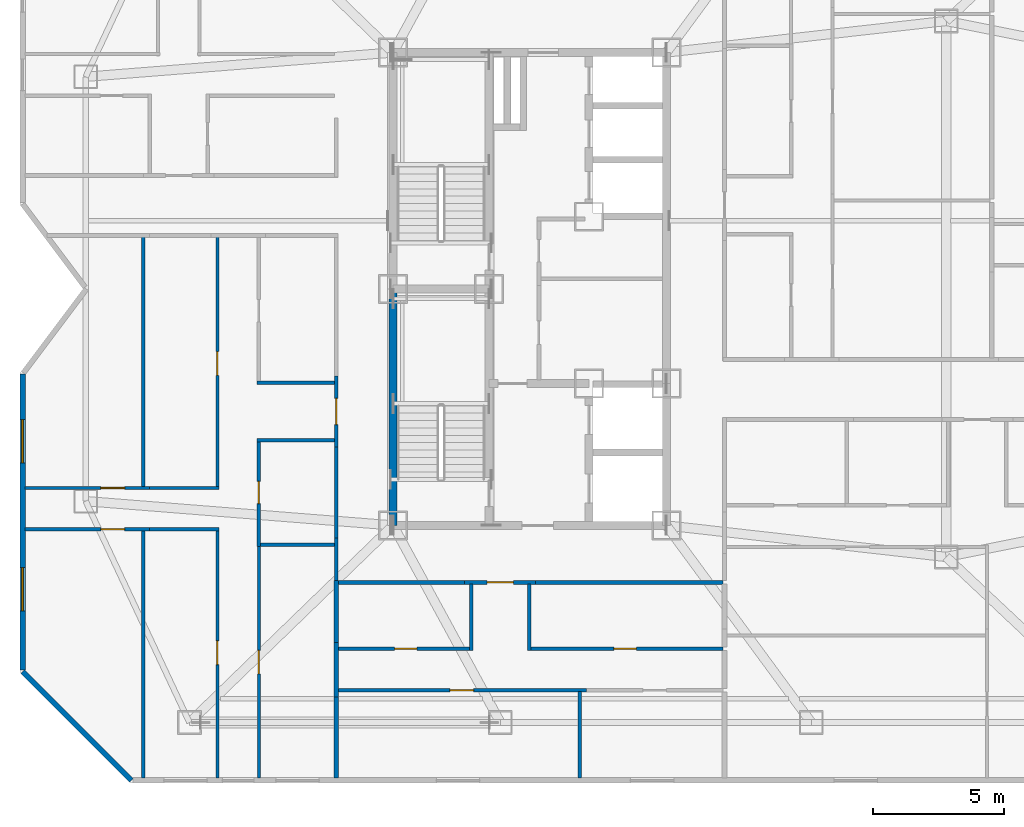
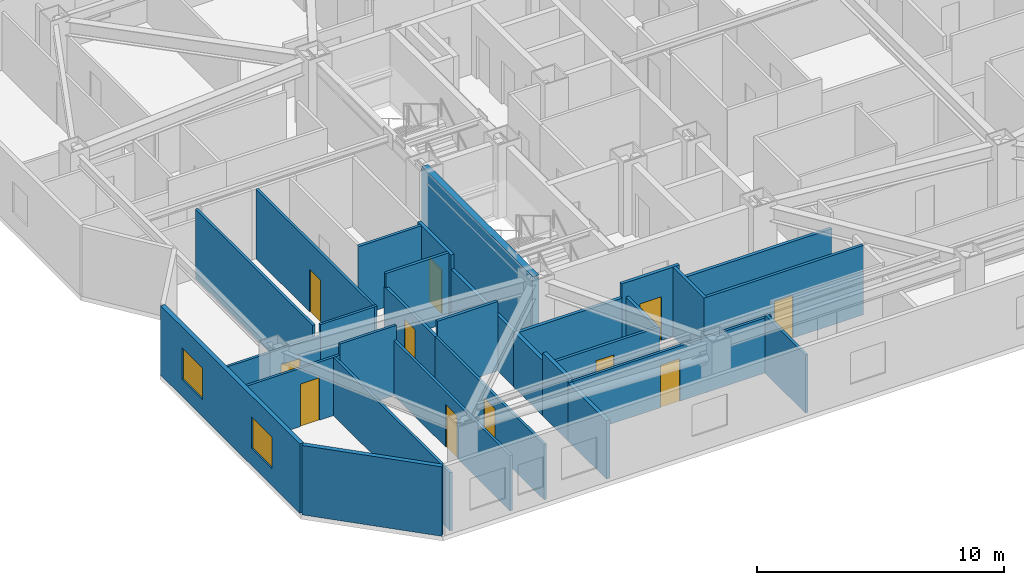
# One storey, part 5 of 11: 31 walls, 11 doors, 2 windows, 13 openings.
"""IFC4 building model written with IfcOpenShell, lengths in metres."""

from ifc_helpers import new_model, si_unit, direction, frame, frame_2d, origin, place, context, subcontext, project, spatial, rectangle, extrude, material, layer, layer_set, type_object, element, fill, save


model = new_model("IFC4")

# Units and contexts
model_context = context("Model", 3, precision=1e-05, world=origin(), true_north=direction((0.0, 1.0)))
body_context = subcontext(model_context, "Body", "Model", "MODEL_VIEW")
ifc_project = project(units=[si_unit("LENGTHUNIT", "METRE"), si_unit("AREAUNIT", "SQUARE_METRE"), si_unit("VOLUMEUNIT", "CUBIC_METRE"), si_unit("PLANEANGLEUNIT", "RADIAN"), si_unit("MASSUNIT", "GRAM", prefix="KILO")], contexts=[model_context])

# Site, building, storey
site_placement = place(None, origin())
site = spatial("IfcSite", under=ifc_project, at=site_placement, CompositionType="ELEMENT")
building_placement = place(site_placement, origin())
building = spatial("IfcBuilding", under=site, at=building_placement, Name="Khamvora Tower", CompositionType="ELEMENT")
storey_placement = place(building_placement, frame((0.0, 0.0, 185.10009765625)))
storey = spatial("IfcBuildingStorey", under=building, at=storey_placement, Name="L47", CompositionType="ELEMENT", Elevation=185.10009765625)

# Walls
ifc_material_1 = material(Name="Concrete C50/60", Category="concrete")
ifc_layer_1 = layer(ifc_material_1, 0.300048828125)
ifc_layer_set_1 = layer_set([ifc_layer_1], Name="Concrete C50/60")
wall_type_1 = type_object("IfcWallType", Name="WAL-CORE-300", PredefinedType="SHEAR", material=ifc_layer_set_1)
wall_1_placement = place(storey_placement, frame((29.0, 19.0, 0.0), z_axis=(0.0, 0.0, 1.0), x_axis=(0.0, 1.0, 0.0)))
element("IfcWall", 1, at=wall_1_placement, inside=storey, type_object=wall_type_1, Name="L47 central core west south wall", PredefinedType="SHEAR", context=body_context, shape_type="SweptSolid", body=[
    extrude(rectangle(XDim=9.0, YDim=0.300048828125, at=frame_2d((4.5, 0.0))), origin(), (0.0, 0.0, 1.0), 3.429931640625),
])
ifc_material_2 = material(Name="Fire-Rated Drywall and Steel Stud", Category="steel")
ifc_layer_2 = layer(ifc_material_2, 0.14990234375)
ifc_layer_set_2 = layer_set([ifc_layer_2], Name="Fire-Rated Drywall and Steel Stud")
wall_type_2 = type_object("IfcWallType", Name="WAL-CORR-150", PredefinedType="STANDARD", material=ifc_layer_set_2)
wall_2_placement = place(storey_placement, frame((26.8349609375, 16.89990234375, 0.0), z_axis=(0.0, 0.0, 1.0), x_axis=(0.0, 1.0, 0.0)))
element("IfcWall", 2, at=wall_2_placement, inside=storey, type_object=wall_type_2, Name="L47 interior partition wall 006", PredefinedType="STANDARD", context=body_context, shape_type="SweptSolid", body=[
    extrude(rectangle(XDim=1.6181640625, YDim=0.14990234375, at=frame_2d((0.80908203125, 0.0))), origin(), (0.0, 0.0, 1.0), 2.724853515625),
])

# Wall, opening, door
wall_3_placement = place(storey_placement, frame((26.8349609375, 21.985107421875, 0.0), z_axis=(0.0, 0.0, 1.0), x_axis=(0.0, 1.0, 0.0)))
wall_3 = element("IfcWall", 3, at=wall_3_placement, inside=storey, type_object=wall_type_2, Name="L47 interior partition wall 007", PredefinedType="STANDARD", context=body_context, shape_type="SweptSolid", body=[
    extrude(rectangle(XDim=2.697998046875, YDim=0.14990234375, at=frame_2d((1.34912109375, 0.0))), origin(), (0.0, 0.0, 1.0), 3.429931640625),
])
opening_1_placement = place(wall_3_placement, frame((0.84912109375, 0.0, 0.0)))
opening_1 = element("IfcOpeningElement", 4, at=opening_1_placement, cuts=wall_3, Name="Opening D-U1", PredefinedType="OPENING", context=body_context, shape_type="SweptSolid", body=[
    extrude(rectangle(XDim=1.0, YDim=2.14990234375, at=frame_2d((0.5, 1.074951171875))), frame((0.0, 0.0849609375, 0.0), z_axis=(0.0, -1.0, 0.0), x_axis=(1.0, 0.0, 0.0)), (0.0, 0.0, 1.0), 0.169921875),
])
ifc_material_3 = material(Name="Powder-Coated Steel and Hardwood Leaf", Category="steel")
door_type_1 = type_object("IfcDoorType", Name="DOR-UNIT-1000", OperationType="NOTDEFINED", PredefinedType="DOOR", material=ifc_material_3)
door_1_placement = place(opening_1_placement, origin())
door_1 = element("IfcDoor", 5, at=door_1_placement, inside=storey, type_object=door_type_1, Name="L47 interior door COR-47WAH", OperationType="SINGLE_SWING_RIGHT", OverallHeight=2.14990234375, OverallWidth=1.0, PredefinedType="DOOR", context=body_context, shape_type="SweptSolid", body=[
    extrude(rectangle(XDim=1.0, YDim=2.14990234375, at=frame_2d((0.5, 1.074951171875))), frame((0.0, 0.02490234375, 0.0), z_axis=(0.0, -1.0, 0.0), x_axis=(1.0, 0.0, 0.0)), (0.0, 0.0, 1.0), 0.050048828125),
])
fill(opening_1, door_1)

# Wall
wall_4_placement = place(storey_placement, frame((26.8349609375, 18.51806640625, 0.0), z_axis=(0.0, 0.0, 1.0), x_axis=(0.0, 1.0, 0.0)))
element("IfcWall", 6, at=wall_4_placement, inside=storey, type_object=wall_type_2, Name="L47 interior partition wall 009", PredefinedType="STANDARD", context=body_context, shape_type="SweptSolid", body=[
    extrude(rectangle(XDim=3.467041015625, YDim=0.14990234375, at=frame_2d((1.7333984375, 0.0))), origin(), (0.0, 0.0, 1.0), 2.724853515625),
])

# Wall, opening, door
wall_5_placement = place(storey_placement, frame((34.424072265625, 16.8349609375, 0.0), z_axis=(0.0, 0.0, 1.0), x_axis=(-1.0, 0.0, 0.0)))
wall_5 = element("IfcWall", 7, at=wall_5_placement, inside=storey, type_object=wall_type_2, Name="L47 interior partition wall 018", PredefinedType="STANDARD", context=body_context, shape_type="SweptSolid", body=[
    extrude(rectangle(XDim=2.697998046875, YDim=0.14990234375, at=frame_2d((1.34912109375, 0.0))), origin(), (0.0, 0.0, 1.0), 3.429931640625),
])
opening_2_placement = place(wall_5_placement, frame((0.84912109375, 0.0, 0.0)))
opening_2 = element("IfcOpeningElement", 8, at=opening_2_placement, cuts=wall_5, Name="Opening D-U1", PredefinedType="OPENING", context=body_context, shape_type="SweptSolid", body=[
    extrude(rectangle(XDim=1.0, YDim=2.14990234375, at=frame_2d((0.5, 1.074951171875))), frame((0.0, 0.0849609375, 0.0), z_axis=(0.0, -1.0, 0.0), x_axis=(1.0, 0.0, 0.0)), (0.0, 0.0, 1.0), 0.169921875),
])
door_2_placement = place(opening_2_placement, origin())
door_2 = element("IfcDoor", 9, at=door_2_placement, inside=storey, type_object=door_type_1, Name="L47 interior door COR-47SAH", OperationType="SINGLE_SWING_RIGHT", OverallHeight=2.14990234375, OverallWidth=1.0, PredefinedType="DOOR", context=body_context, shape_type="SweptSolid", body=[
    extrude(rectangle(XDim=1.0, YDim=2.14990234375, at=frame_2d((0.5, 1.074951171875))), frame((0.0, 0.02490234375, 0.0), z_axis=(0.0, -1.0, 0.0), x_axis=(1.0, 0.0, 0.0)), (0.0, 0.0, 1.0), 0.050048828125),
])
fill(opening_2, door_2)

# Walls
wall_6_placement = place(storey_placement, frame((31.72607421875, 16.8349609375, 0.0), z_axis=(0.0, 0.0, 1.0), x_axis=(-1.0, 0.0, 0.0)))
element("IfcWall", 10, at=wall_6_placement, inside=storey, type_object=wall_type_2, Name="L47 interior partition wall 019", PredefinedType="STANDARD", context=body_context, shape_type="SweptSolid", body=[
    extrude(rectangle(XDim=4.826171875, YDim=0.14990234375, at=frame_2d((2.4130859375, 0.0))), origin(), (0.0, 0.0, 1.0), 2.724853515625),
])
wall_7_placement = place(storey_placement, frame((41.550048828125, 16.8349609375, 0.0), z_axis=(0.0, 0.0, 1.0), x_axis=(-1.0, 0.0, 0.0)))
element("IfcWall", 11, at=wall_7_placement, inside=storey, type_object=wall_type_2, Name="L47 interior partition wall 020", PredefinedType="STANDARD", context=body_context, shape_type="SweptSolid", body=[
    extrude(rectangle(XDim=7.1259765625, YDim=0.14990234375, at=frame_2d((3.56298828125, 0.0))), origin(), (0.0, 0.0, 1.0), 2.724853515625),
])
ifc_material_4 = material(Name="Acoustic Double-Stud Fire Wall", Category="gypsum")
ifc_layer_3 = layer(ifc_material_4, 0.179931640625)
ifc_layer_set_3 = layer_set([ifc_layer_3], Name="Acoustic Double-Stud Fire Wall")
wall_type_3 = type_object("IfcWallType", Name="WAL-CORR-180", PredefinedType="STANDARD", material=ifc_layer_set_3)
wall_8_placement = place(storey_placement, frame((26.8349609375, 14.553955078125, 0.0), z_axis=(0.0, 0.0, 1.0), x_axis=(0.0, -1.0, 0.0)))
element("IfcWall", 12, at=wall_8_placement, inside=storey, type_object=wall_type_3, Name="L47 interior partition wall 048", PredefinedType="STANDARD", context=body_context, shape_type="SweptSolid", body=[
    extrude(rectangle(XDim=2.077880859375, YDim=0.179931640625, at=frame_2d((1.0390625, 0.0))), origin(), (0.0, 0.0, 1.0), 3.10693359375),
])
wall_9_placement = place(storey_placement, frame((26.8349609375, 16.89990234375, 0.0), z_axis=(0.0, 0.0, 1.0), x_axis=(0.0, -1.0, 0.0)))
element("IfcWall", 13, at=wall_9_placement, inside=storey, type_object=wall_type_3, Name="L47 interior partition wall 049", PredefinedType="STANDARD", context=body_context, shape_type="SweptSolid", body=[
    extrude(rectangle(XDim=2.345947265625, YDim=0.179931640625, at=frame_2d((1.1728515625, 0.0))), origin(), (0.0, 0.0, 1.0), 2.724853515625),
])
wall_10_placement = place(storey_placement, frame((26.8349609375, 12.47607421875, 0.0), z_axis=(0.0, 0.0, 1.0), x_axis=(0.0, -1.0, 0.0)))
element("IfcWall", 14, at=wall_10_placement, inside=storey, type_object=wall_type_3, Name="L47 interior partition wall 050", PredefinedType="STANDARD", context=body_context, shape_type="SweptSolid", body=[
    extrude(rectangle(XDim=3.083984375, YDim=0.179931640625, at=frame_2d((1.5419921875, 0.0))), origin(), (0.0, 0.0, 1.0), 2.8759765625),
])
ifc_material_5 = material(Name="Precast concrete C40/50", Category="concrete")
ifc_layer_4 = layer(ifc_material_5, 0.199951171875)
ifc_layer_set_4 = layer_set([ifc_layer_4], Name="Precast concrete C40/50")
wall_type_4 = type_object("IfcWallType", Name="WAL-EXT-200", PredefinedType="STANDARD", material=ifc_layer_set_4)
wall_11_placement = place(storey_placement, frame((19.041015625, 9.300048828125, 0.0), z_axis=(0.0, 0.0, 1.0), x_axis=(-0.707127625344, 0.707085936414, 0.0)))
element("IfcWall", 15, at=wall_11_placement, inside=storey, type_object=wall_type_4, Name="L47 exterior facade wall 01.1", PredefinedType="STANDARD", context=body_context, shape_type="SweptSolid", body=[
    extrude(rectangle(XDim=5.856201171875, YDim=0.199951171875, at=frame_2d((2.92822265625, 0.0))), origin(), (0.0, 0.0, 1.0), 3.429931640625),
])

# Wall, openings, windows
wall_12_placement = place(storey_placement, frame((14.89990234375, 13.50390625, 0.0), z_axis=(0.0, 0.0, 1.0), x_axis=(0.0, 1.0, 0.0)))
wall_12 = element("IfcWall", 16, at=wall_12_placement, inside=storey, type_object=wall_type_4, Name="L47 exterior facade wall 02.1", PredefinedType="STANDARD", context=body_context, shape_type="SweptSolid", body=[
    extrude(rectangle(XDim=11.26318359375, YDim=0.199951171875, at=frame_2d((5.631591796875, 0.0))), origin(), (0.0, 0.0, 1.0), 3.429931640625),
])
opening_3_placement = place(wall_12_placement, frame((2.242919921875, 0.0, 0.85009765625)))
opening_3 = element("IfcOpeningElement", 17, at=opening_3_placement, cuts=wall_12, Name="Opening WN-06", PredefinedType="OPENING", context=body_context, shape_type="SweptSolid", body=[
    extrude(rectangle(XDim=1.64990234375, YDim=1.550048828125, at=frame_2d((0.824951171875, 0.77490234375))), frame((0.0, 0.10986328125, 0.0), z_axis=(0.0, -1.0, 0.0), x_axis=(1.0, 0.0, 0.0)), (0.0, 0.0, 1.0), 0.219970703125),
])
opening_4_placement = place(wall_12_placement, frame((7.875, 0.0, 0.85009765625)))
opening_4 = element("IfcOpeningElement", 18, at=opening_4_placement, cuts=wall_12, Name="Opening WN-06", PredefinedType="OPENING", context=body_context, shape_type="SweptSolid", body=[
    extrude(rectangle(XDim=1.64990234375, YDim=1.550048828125, at=frame_2d((0.824951171875, 0.77490234375))), frame((0.0, 0.10986328125, 0.0), z_axis=(0.0, -1.0, 0.0), x_axis=(1.0, 0.0, 0.0)), (0.0, 0.0, 1.0), 0.219970703125),
])
ifc_material_6 = material(Name="Low-E Laminated Double Glazing", Category="glass")
window_type = type_object("IfcWindowType", Name="WIN-VIS-1650x1550", PartitioningType="SINGLE_PANEL", PredefinedType="WINDOW", material=ifc_material_6)
window_1_placement = place(opening_3_placement, origin())
window_1 = element("IfcWindow", 19, at=window_1_placement, inside=storey, type_object=window_type, Name="L47 vision window 02.1.01", OverallHeight=1.550048828125, OverallWidth=1.64990234375, PartitioningType="SINGLE_PANEL", PredefinedType="WINDOW", context=body_context, shape_type="SweptSolid", body=[
    extrude(rectangle(XDim=1.64990234375, YDim=1.550048828125, at=frame_2d((0.824951171875, 0.77490234375))), frame((0.0, 0.030029296875, 0.0), z_axis=(0.0, -1.0, 0.0), x_axis=(1.0, 0.0, 0.0)), (0.0, 0.0, 1.0), 0.06005859375),
])
fill(opening_3, window_1)
window_2_placement = place(opening_4_placement, origin())
window_2 = element("IfcWindow", 20, at=window_2_placement, inside=storey, type_object=window_type, Name="L47 vision window 02.1.02", OverallHeight=1.550048828125, OverallWidth=1.64990234375, PartitioningType="SINGLE_PANEL", PredefinedType="WINDOW", context=body_context, shape_type="SweptSolid", body=[
    extrude(rectangle(XDim=1.64990234375, YDim=1.550048828125, at=frame_2d((0.824951171875, 0.77490234375))), frame((0.0, 0.030029296875, 0.0), z_axis=(0.0, -1.0, 0.0), x_axis=(1.0, 0.0, 0.0)), (0.0, 0.0, 1.0), 0.06005859375),
])
fill(opening_4, window_2)

# Wall, opening, door
ifc_material_7 = material(Name="Gypsum Plasterboard Partition", Category="gypsum")
ifc_layer_5 = layer(ifc_material_7, 0.1201171875)
ifc_layer_set_5 = layer_set([ifc_layer_5], Name="Gypsum Plasterboard Partition")
wall_type_5 = type_object("IfcWallType", Name="WAL-PART-120", PredefinedType="PARTITIONING", material=ifc_layer_set_5)
wall_13_placement = place(storey_placement, frame((23.889892578125, 9.39208984375, 0.0), z_axis=(0.0, 0.0, 1.0), x_axis=(0.0, 1.0, 0.0)))
wall_13 = element("IfcWall", 21, at=wall_13_placement, inside=storey, type_object=wall_type_5, Name="L47 interior partition wall 046", PredefinedType="PARTITIONING", context=body_context, shape_type="SweptSolid", body=[
    extrude(rectangle(XDim=8.81201171875, YDim=0.1201171875, at=frame_2d((4.406005859375, 0.0))), origin(), (0.0, 0.0, 1.0), 2.724853515625),
])
opening_5_placement = place(wall_13_placement, frame((3.9560546875, 0.0, 0.0)))
opening_5 = element("IfcOpeningElement", 22, at=opening_5_placement, cuts=wall_13, Name="Opening D-RM1", PredefinedType="OPENING", context=body_context, shape_type="SweptSolid", body=[
    extrude(rectangle(XDim=0.89990234375, YDim=2.10009765625, at=frame_2d((0.449951171875, 1.050048828125))), frame((0.0, 0.070068359375, 0.0), z_axis=(0.0, -1.0, 0.0), x_axis=(1.0, 0.0, 0.0)), (0.0, 0.0, 1.0), 0.14013671875),
])
door_type_2 = type_object("IfcDoorType", Name="DOR-ROOM-900", OperationType="NOTDEFINED", PredefinedType="DOOR", material=ifc_material_3)
door_3_placement = place(opening_5_placement, origin())
door_3 = element("IfcDoor", 23, at=door_3_placement, inside=storey, type_object=door_type_2, Name="L47 interior door 47WAW1-47WAH", OperationType="SINGLE_SWING_LEFT", OverallHeight=2.10009765625, OverallWidth=0.89990234375, PredefinedType="DOOR", context=body_context, shape_type="SweptSolid", body=[
    extrude(rectangle(XDim=0.89990234375, YDim=2.10009765625, at=frame_2d((0.449951171875, 1.050048828125))), frame((0.0, 0.02490234375, 0.0), z_axis=(0.0, -1.0, 0.0), x_axis=(1.0, 0.0, 0.0)), (0.0, 0.0, 1.0), 0.050048828125),
])
fill(opening_5, door_3)

wall_14_placement = place(storey_placement, frame((19.737060546875, 18.85498046875, 0.0), z_axis=(0.0, 0.0, 1.0), x_axis=(-1.0, 0.0, 0.0)))
wall_14 = element("IfcWall", 24, at=wall_14_placement, inside=storey, type_object=wall_type_5, Name="L47 interior partition wall 055", PredefinedType="PARTITIONING", context=body_context, shape_type="SweptSolid", body=[
    extrude(rectangle(XDim=4.7451171875, YDim=0.1201171875, at=frame_2d((2.37255859375, 0.0))), origin(), (0.0, 0.0, 1.0), 2.8759765625),
])
opening_6_placement = place(wall_14_placement, frame((0.955078125, 0.0, 0.0)))
opening_6 = element("IfcOpeningElement", 25, at=opening_6_placement, cuts=wall_14, Name="Opening D-RM1", PredefinedType="OPENING", context=body_context, shape_type="SweptSolid", body=[
    extrude(rectangle(XDim=0.89990234375, YDim=2.10009765625, at=frame_2d((0.449951171875, 1.050048828125))), frame((0.0, 0.070068359375, 0.0), z_axis=(0.0, -1.0, 0.0), x_axis=(1.0, 0.0, 0.0)), (0.0, 0.0, 1.0), 0.14013671875),
])
door_4_placement = place(opening_6_placement, origin())
door_4 = element("IfcDoor", 26, at=door_4_placement, inside=storey, type_object=door_type_2, Name="L47 interior door 47WAH-47WAR1", OperationType="SINGLE_SWING_LEFT", OverallHeight=2.10009765625, OverallWidth=0.89990234375, PredefinedType="DOOR", context=body_context, shape_type="SweptSolid", body=[
    extrude(rectangle(XDim=0.89990234375, YDim=2.10009765625, at=frame_2d((0.449951171875, 1.050048828125))), frame((0.0, 0.02490234375, 0.0), z_axis=(0.0, -1.0, 0.0), x_axis=(1.0, 0.0, 0.0)), (0.0, 0.0, 1.0), 0.050048828125),
])
fill(opening_6, door_4)

wall_15_placement = place(storey_placement, frame((22.31005859375, 9.39208984375, 0.0), z_axis=(0.0, 0.0, 1.0), x_axis=(0.0, 1.0, 0.0)))
wall_15 = element("IfcWall", 27, at=wall_15_placement, inside=storey, type_object=wall_type_5, Name="L47 interior partition wall 056", PredefinedType="PARTITIONING", context=body_context, shape_type="SweptSolid", body=[
    extrude(rectangle(XDim=9.52783203125, YDim=0.1201171875, at=frame_2d((4.763916015625, 0.0))), origin(), (0.0, 0.0, 1.0), 2.724853515625),
])
opening_7_placement = place(wall_15_placement, frame((4.31396484375, 0.0, 0.0)))
opening_7 = element("IfcOpeningElement", 28, at=opening_7_placement, cuts=wall_15, Name="Opening D-RM1", PredefinedType="OPENING", context=body_context, shape_type="SweptSolid", body=[
    extrude(rectangle(XDim=0.89990234375, YDim=2.10009765625, at=frame_2d((0.449951171875, 1.050048828125))), frame((0.0, 0.070068359375, 0.0), z_axis=(0.0, -1.0, 0.0), x_axis=(1.0, 0.0, 0.0)), (0.0, 0.0, 1.0), 0.14013671875),
])
door_5_placement = place(opening_7_placement, origin())
door_5 = element("IfcDoor", 29, at=door_5_placement, inside=storey, type_object=door_type_2, Name="L47 interior door 47WAH-47WAR2", OperationType="SINGLE_SWING_RIGHT", OverallHeight=2.10009765625, OverallWidth=0.89990234375, PredefinedType="DOOR", context=body_context, shape_type="SweptSolid", body=[
    extrude(rectangle(XDim=0.89990234375, YDim=2.10009765625, at=frame_2d((0.449951171875, 1.050048828125))), frame((0.0, 0.02490234375, 0.0), z_axis=(0.0, -1.0, 0.0), x_axis=(1.0, 0.0, 0.0)), (0.0, 0.0, 1.0), 0.050048828125),
])
fill(opening_7, door_5)

# Wall
wall_16_placement = place(storey_placement, frame((22.375, 18.85498046875, 0.0), z_axis=(0.0, 0.0, 1.0), x_axis=(-1.0, 0.0, 0.0)))
element("IfcWall", 30, at=wall_16_placement, inside=storey, type_object=wall_type_5, Name="L47 interior partition wall 057", PredefinedType="PARTITIONING", context=body_context, shape_type="SweptSolid", body=[
    extrude(rectangle(XDim=2.637939453125, YDim=0.1201171875, at=frame_2d((1.31884765625, 0.0))), origin(), (0.0, 0.0, 1.0), 3.429931640625),
])

# Wall, opening, door
wall_17_placement = place(storey_placement, frame((14.991943359375, 20.425048828125, 0.0), z_axis=(0.0, 0.0, 1.0), x_axis=(1.0, 0.0, 0.0)))
wall_17 = element("IfcWall", 31, at=wall_17_placement, inside=storey, type_object=wall_type_5, Name="L47 interior partition wall 058", PredefinedType="PARTITIONING", context=body_context, shape_type="SweptSolid", body=[
    extrude(rectangle(XDim=4.7451171875, YDim=0.1201171875, at=frame_2d((2.37255859375, 0.0))), origin(), (0.0, 0.0, 1.0), 2.8759765625),
])
opening_8_placement = place(wall_17_placement, frame((2.889892578125, 0.0, 0.0)))
opening_8 = element("IfcOpeningElement", 32, at=opening_8_placement, cuts=wall_17, Name="Opening D-RM1", PredefinedType="OPENING", context=body_context, shape_type="SweptSolid", body=[
    extrude(rectangle(XDim=0.89990234375, YDim=2.10009765625, at=frame_2d((0.449951171875, 1.050048828125))), frame((0.0, 0.070068359375, 0.0), z_axis=(0.0, -1.0, 0.0), x_axis=(1.0, 0.0, 0.0)), (0.0, 0.0, 1.0), 0.14013671875),
])
door_6_placement = place(opening_8_placement, origin())
door_6 = element("IfcDoor", 33, at=door_6_placement, inside=storey, type_object=door_type_2, Name="L47 interior door 47WAH-47WAR3", OperationType="SINGLE_SWING_RIGHT", OverallHeight=2.10009765625, OverallWidth=0.89990234375, PredefinedType="DOOR", context=body_context, shape_type="SweptSolid", body=[
    extrude(rectangle(XDim=0.89990234375, YDim=2.10009765625, at=frame_2d((0.449951171875, 1.050048828125))), frame((0.0, 0.02490234375, 0.0), z_axis=(0.0, -1.0, 0.0), x_axis=(1.0, 0.0, 0.0)), (0.0, 0.0, 1.0), 0.050048828125),
])
fill(opening_8, door_6)

# Wall
wall_18_placement = place(storey_placement, frame((19.737060546875, 20.425048828125, 0.0), z_axis=(0.0, 0.0, 1.0), x_axis=(1.0, 0.0, 0.0)))
element("IfcWall", 34, at=wall_18_placement, inside=storey, type_object=wall_type_5, Name="L47 interior partition wall 059", PredefinedType="PARTITIONING", context=body_context, shape_type="SweptSolid", body=[
    extrude(rectangle(XDim=2.637939453125, YDim=0.1201171875, at=frame_2d((1.31884765625, 0.0))), origin(), (0.0, 0.0, 1.0), 3.429931640625),
])

# Wall, opening, door
wall_19_placement = place(storey_placement, frame((22.31005859375, 20.360107421875, 0.0), z_axis=(0.0, 0.0, 1.0), x_axis=(0.0, 1.0, 0.0)))
wall_19 = element("IfcWall", 35, at=wall_19_placement, inside=storey, type_object=wall_type_5, Name="L47 interior partition wall 060", PredefinedType="PARTITIONING", context=body_context, shape_type="SweptSolid", body=[
    extrude(rectangle(XDim=9.60986328125, YDim=0.1201171875, at=frame_2d((4.804931640625, 0.0))), origin(), (0.0, 0.0, 1.0), 3.429931640625),
])
opening_9_placement = place(wall_19_placement, frame((4.35498046875, 0.0, 0.0)))
opening_9 = element("IfcOpeningElement", 36, at=opening_9_placement, cuts=wall_19, Name="Opening D-RM1", PredefinedType="OPENING", context=body_context, shape_type="SweptSolid", body=[
    extrude(rectangle(XDim=0.89990234375, YDim=2.10009765625, at=frame_2d((0.449951171875, 1.050048828125))), frame((0.0, 0.070068359375, 0.0), z_axis=(0.0, -1.0, 0.0), x_axis=(1.0, 0.0, 0.0)), (0.0, 0.0, 1.0), 0.14013671875),
])
door_7_placement = place(opening_9_placement, origin())
door_7 = element("IfcDoor", 37, at=door_7_placement, inside=storey, type_object=door_type_2, Name="L47 interior door 47WAH-47WAR4", OperationType="SINGLE_SWING_RIGHT", OverallHeight=2.10009765625, OverallWidth=0.89990234375, PredefinedType="DOOR", context=body_context, shape_type="SweptSolid", body=[
    extrude(rectangle(XDim=0.89990234375, YDim=2.10009765625, at=frame_2d((0.449951171875, 1.050048828125))), frame((0.0, 0.02490234375, 0.0), z_axis=(0.0, -1.0, 0.0), x_axis=(1.0, 0.0, 0.0)), (0.0, 0.0, 1.0), 0.050048828125),
])
fill(opening_9, door_7)

# Walls
wall_20_placement = place(storey_placement, frame((19.488037109375, 18.801025390625, 0.0), z_axis=(0.0, 0.0, 1.0), x_axis=(0.0, -1.0, 0.0)))
element("IfcWall", 38, at=wall_20_placement, inside=storey, type_object=wall_type_5, Name="L47 interior partition wall 061", PredefinedType="PARTITIONING", context=body_context, shape_type="SweptSolid", body=[
    extrude(rectangle(XDim=9.408935546875, YDim=0.1201171875, at=frame_2d((4.70458984375, 0.0))), origin(), (0.0, 0.0, 1.0), 2.8759765625),
])
wall_21_placement = place(storey_placement, frame((19.488037109375, 29.969970703125, 0.0), z_axis=(0.0, 0.0, 1.0), x_axis=(0.0, -1.0, 0.0)))
element("IfcWall", 39, at=wall_21_placement, inside=storey, type_object=wall_type_5, Name="L47 interior partition wall 062", PredefinedType="PARTITIONING", context=body_context, shape_type="SweptSolid", body=[
    extrude(rectangle(XDim=9.490966796875, YDim=0.1201171875, at=frame_2d((4.74560546875, 0.0))), origin(), (0.0, 0.0, 1.0), 3.429931640625),
])

# Wall, opening, door
wall_22_placement = place(storey_placement, frame((36.35302734375, 12.72509765625, 0.0), z_axis=(0.0, 0.0, 1.0), x_axis=(-1.0, 0.0, 0.0)))
wall_22 = element("IfcWall", 40, at=wall_22_placement, inside=storey, type_object=wall_type_5, Name="L47 interior partition wall 075", PredefinedType="PARTITIONING", context=body_context, shape_type="SweptSolid", body=[
    extrude(rectangle(XDim=9.43603515625, YDim=0.1201171875, at=frame_2d((4.718017578125, 0.0))), origin(), (0.0, 0.0, 1.0), 2.724853515625),
])
opening_10_placement = place(wall_22_placement, frame((4.2890625, 0.0, 0.0)))
opening_10 = element("IfcOpeningElement", 41, at=opening_10_placement, cuts=wall_22, Name="Opening D-RM1", PredefinedType="OPENING", context=body_context, shape_type="SweptSolid", body=[
    extrude(rectangle(XDim=0.89990234375, YDim=2.10009765625, at=frame_2d((0.449951171875, 1.050048828125))), frame((0.0, 0.070068359375, 0.0), z_axis=(0.0, -1.0, 0.0), x_axis=(1.0, 0.0, 0.0)), (0.0, 0.0, 1.0), 0.14013671875),
])
door_8_placement = place(opening_10_placement, origin())
door_8 = element("IfcDoor", 42, at=door_8_placement, inside=storey, type_object=door_type_2, Name="L47 interior door 47SAH-47SAL", OperationType="SINGLE_SWING_RIGHT", OverallHeight=2.10009765625, OverallWidth=0.89990234375, PredefinedType="DOOR", context=body_context, shape_type="SweptSolid", body=[
    extrude(rectangle(XDim=0.89990234375, YDim=2.10009765625, at=frame_2d((0.449951171875, 1.050048828125))), frame((0.0, 0.02490234375, 0.0), z_axis=(0.0, -1.0, 0.0), x_axis=(1.0, 0.0, 0.0)), (0.0, 0.0, 1.0), 0.050048828125),
])
fill(opening_10, door_8)

# Walls
wall_23_placement = place(storey_placement, frame((36.10400390625, 12.6708984375, 0.0), z_axis=(0.0, 0.0, 1.0), x_axis=(0.0, -1.0, 0.0)))
element("IfcWall", 43, at=wall_23_placement, inside=storey, type_object=wall_type_5, Name="L47 interior partition wall 080", PredefinedType="PARTITIONING", context=body_context, shape_type="SweptSolid", body=[
    extrude(rectangle(XDim=3.27880859375, YDim=0.1201171875, at=frame_2d((1.639404296875, 0.0))), origin(), (0.0, 0.0, 1.0), 2.8759765625),
])
ifc_material_8 = material(Name="Moisture-Resistant Plasterboard Partition", Category="gypsum")
ifc_layer_6 = layer(ifc_material_8, 0.135009765625)
ifc_layer_set_6 = layer_set([ifc_layer_6], Name="Moisture-Resistant Plasterboard Partition")
wall_type_6 = type_object("IfcWallType", Name="WAL-WET-135", PredefinedType="PARTITIONING", material=ifc_layer_set_6)
wall_24_placement = place(storey_placement, frame((23.955078125, 18.26904296875, 0.0), z_axis=(0.0, 0.0, 1.0), x_axis=(1.0, 0.0, 0.0)))
element("IfcWall", 44, at=wall_24_placement, inside=storey, type_object=wall_type_6, Name="L47 interior partition wall 047", PredefinedType="PARTITIONING", context=body_context, shape_type="SweptSolid", body=[
    extrude(rectangle(XDim=2.81494140625, YDim=0.135009765625, at=frame_2d((1.407470703125, 0.0))), origin(), (0.0, 0.0, 1.0), 3.429931640625),
])
wall_25_placement = place(storey_placement, frame((26.77001953125, 22.23388671875, 0.0), z_axis=(0.0, 0.0, 1.0), x_axis=(-1.0, 0.0, 0.0)))
element("IfcWall", 45, at=wall_25_placement, inside=storey, type_object=wall_type_6, Name="L47 interior partition wall 051", PredefinedType="PARTITIONING", context=body_context, shape_type="SweptSolid", body=[
    extrude(rectangle(XDim=2.945068359375, YDim=0.135009765625, at=frame_2d((1.47265625, 0.0))), origin(), (0.0, 0.0, 1.0), 3.429931640625),
])

# Wall, opening, door
wall_26_placement = place(storey_placement, frame((23.889892578125, 22.299072265625, 0.0), z_axis=(0.0, 0.0, 1.0), x_axis=(0.0, -1.0, 0.0)))
wall_26 = element("IfcWall", 46, at=wall_26_placement, inside=storey, type_object=wall_type_6, Name="L47 interior partition wall 052", PredefinedType="PARTITIONING", context=body_context, shape_type="SweptSolid", body=[
    extrude(rectangle(XDim=4.094970703125, YDim=0.135009765625, at=frame_2d((2.04736328125, 0.0))), origin(), (0.0, 0.0, 1.0), 2.724853515625),
])
opening_11_placement = place(wall_26_placement, frame((1.6220703125, 0.0, 0.0)))
opening_11 = element("IfcOpeningElement", 47, at=opening_11_placement, cuts=wall_26, Name="Opening D-WC1", PredefinedType="OPENING", context=body_context, shape_type="SweptSolid", body=[
    extrude(rectangle(XDim=0.85009765625, YDim=2.10009765625, at=frame_2d((0.425048828125, 1.050048828125))), frame((0.0, 0.077392578125, 0.0), z_axis=(0.0, -1.0, 0.0), x_axis=(1.0, 0.0, 0.0)), (0.0, 0.0, 1.0), 0.155029296875),
])
door_type_3 = type_object("IfcDoorType", Name="DOR-WET-850", OperationType="NOTDEFINED", PredefinedType="DOOR", material=ifc_material_3)
door_9_placement = place(opening_11_placement, origin())
door_9 = element("IfcDoor", 48, at=door_9_placement, inside=storey, type_object=door_type_3, Name="L47 interior door 47WAH-47WAB", OperationType="SINGLE_SWING_RIGHT", OverallHeight=2.10009765625, OverallWidth=0.85009765625, PredefinedType="DOOR", context=body_context, shape_type="SweptSolid", body=[
    extrude(rectangle(XDim=0.85009765625, YDim=2.10009765625, at=frame_2d((0.425048828125, 1.050048828125))), frame((0.0, 0.02490234375, 0.0), z_axis=(0.0, -1.0, 0.0), x_axis=(1.0, 0.0, 0.0)), (0.0, 0.0, 1.0), 0.050048828125),
])
fill(opening_11, door_9)

# Wall
wall_27_placement = place(storey_placement, frame((23.824951171875, 24.43408203125, 0.0), z_axis=(0.0, 0.0, 1.0), x_axis=(1.0, 0.0, 0.0)))
element("IfcWall", 49, at=wall_27_placement, inside=storey, type_object=wall_type_6, Name="L47 interior partition wall 054", PredefinedType="PARTITIONING", context=body_context, shape_type="SweptSolid", body=[
    extrude(rectangle(XDim=2.945068359375, YDim=0.135009765625, at=frame_2d((1.47265625, 0.0))), origin(), (0.0, 0.0, 1.0), 3.429931640625),
])

# Wall, opening, door
wall_28_placement = place(storey_placement, frame((26.9169921875, 14.304931640625, 0.0), z_axis=(0.0, 0.0, 1.0), x_axis=(1.0, 0.0, 0.0)))
wall_28 = element("IfcWall", 50, at=wall_28_placement, inside=storey, type_object=wall_type_6, Name="L47 interior partition wall 071", PredefinedType="PARTITIONING", context=body_context, shape_type="SweptSolid", body=[
    extrude(rectangle(XDim=5.123046875, YDim=0.135009765625, at=frame_2d((2.5615234375, 0.0))), origin(), (0.0, 0.0, 1.0), 2.724853515625),
])
opening_12_placement = place(wall_28_placement, frame((2.136962890625, 0.0, 0.0)))
opening_12 = element("IfcOpeningElement", 51, at=opening_12_placement, cuts=wall_28, Name="Opening D-WC1", PredefinedType="OPENING", context=body_context, shape_type="SweptSolid", body=[
    extrude(rectangle(XDim=0.85009765625, YDim=2.10009765625, at=frame_2d((0.425048828125, 1.050048828125))), frame((0.0, 0.077392578125, 0.0), z_axis=(0.0, -1.0, 0.0), x_axis=(1.0, 0.0, 0.0)), (0.0, 0.0, 1.0), 0.155029296875),
])
door_10_placement = place(opening_12_placement, origin())
door_10 = element("IfcDoor", 52, at=door_10_placement, inside=storey, type_object=door_type_3, Name="L47 interior door 47SAH-47SAB", OperationType="SINGLE_SWING_RIGHT", OverallHeight=2.10009765625, OverallWidth=0.85009765625, PredefinedType="DOOR", context=body_context, shape_type="SweptSolid", body=[
    extrude(rectangle(XDim=0.85009765625, YDim=2.10009765625, at=frame_2d((0.425048828125, 1.050048828125))), frame((0.0, 0.02490234375, 0.0), z_axis=(0.0, -1.0, 0.0), x_axis=(1.0, 0.0, 0.0)), (0.0, 0.0, 1.0), 0.050048828125),
])
fill(opening_12, door_10)

# Walls
wall_29_placement = place(storey_placement, frame((31.97509765625, 14.239990234375, 0.0), z_axis=(0.0, 0.0, 1.0), x_axis=(0.0, 1.0, 0.0)))
element("IfcWall", 53, at=wall_29_placement, inside=storey, type_object=wall_type_6, Name="L47 interior partition wall 072", PredefinedType="PARTITIONING", context=body_context, shape_type="SweptSolid", body=[
    extrude(rectangle(XDim=2.530029296875, YDim=0.135009765625, at=frame_2d((1.26513671875, 0.0))), origin(), (0.0, 0.0, 1.0), 2.724853515625),
])
wall_30_placement = place(storey_placement, frame((34.175048828125, 16.77001953125, 0.0), z_axis=(0.0, 0.0, 1.0), x_axis=(0.0, -1.0, 0.0)))
element("IfcWall", 54, at=wall_30_placement, inside=storey, type_object=wall_type_6, Name="L47 interior partition wall 073", PredefinedType="PARTITIONING", context=body_context, shape_type="SweptSolid", body=[
    extrude(rectangle(XDim=2.530029296875, YDim=0.135009765625, at=frame_2d((1.26513671875, 0.0))), origin(), (0.0, 0.0, 1.0), 3.429931640625),
])

# Wall, opening, door
wall_31_placement = place(storey_placement, frame((34.110107421875, 14.304931640625, 0.0), z_axis=(0.0, 0.0, 1.0), x_axis=(1.0, 0.0, 0.0)))
wall_31 = element("IfcWall", 55, at=wall_31_placement, inside=storey, type_object=wall_type_6, Name="L47 interior partition wall 074", PredefinedType="PARTITIONING", context=body_context, shape_type="SweptSolid", body=[
    extrude(rectangle(XDim=7.43994140625, YDim=0.135009765625, at=frame_2d((3.719970703125, 0.0))), origin(), (0.0, 0.0, 1.0), 3.429931640625),
])
opening_13_placement = place(wall_31_placement, frame((3.294921875, 0.0, 0.0)))
opening_13 = element("IfcOpeningElement", 56, at=opening_13_placement, cuts=wall_31, Name="Opening D-RM2", PredefinedType="OPENING", context=body_context, shape_type="SweptSolid", body=[
    extrude(rectangle(XDim=0.85009765625, YDim=2.10009765625, at=frame_2d((0.425048828125, 1.050048828125))), frame((0.0, 0.077392578125, 0.0), z_axis=(0.0, -1.0, 0.0), x_axis=(1.0, 0.0, 0.0)), (0.0, 0.0, 1.0), 0.155029296875),
])
door_type_4 = type_object("IfcDoorType", Name="DOR-ROOM-850", OperationType="NOTDEFINED", PredefinedType="DOOR", material=ifc_material_3)
door_11_placement = place(opening_13_placement, origin())
door_11 = element("IfcDoor", 57, at=door_11_placement, inside=storey, type_object=door_type_4, Name="L47 interior door 47SAH-47SAK", OperationType="SINGLE_SWING_LEFT", OverallHeight=2.10009765625, OverallWidth=0.85009765625, PredefinedType="DOOR", context=body_context, shape_type="SweptSolid", body=[
    extrude(rectangle(XDim=0.85009765625, YDim=2.10009765625, at=frame_2d((0.425048828125, 1.050048828125))), frame((0.0, 0.02490234375, 0.0), z_axis=(0.0, -1.0, 0.0), x_axis=(1.0, 0.0, 0.0)), (0.0, 0.0, 1.0), 0.050048828125),
])
fill(opening_13, door_11)

save(model, "model.ifc")
